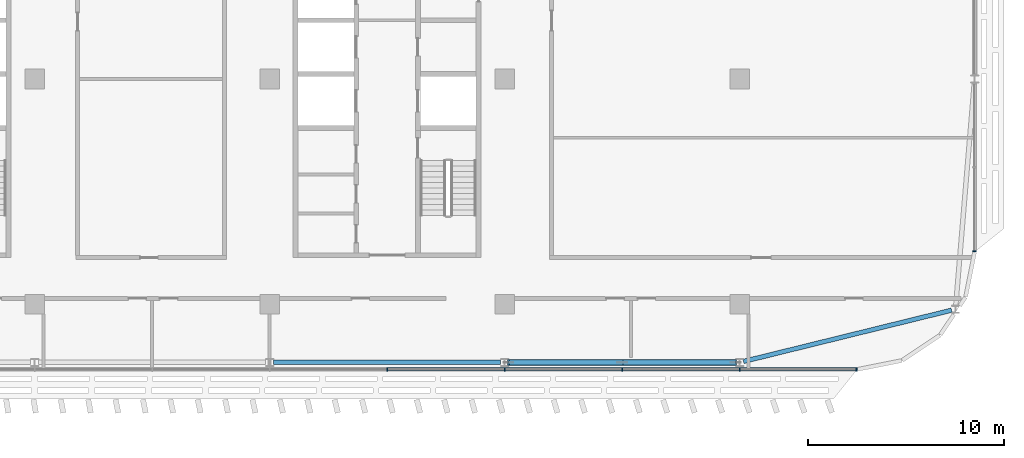
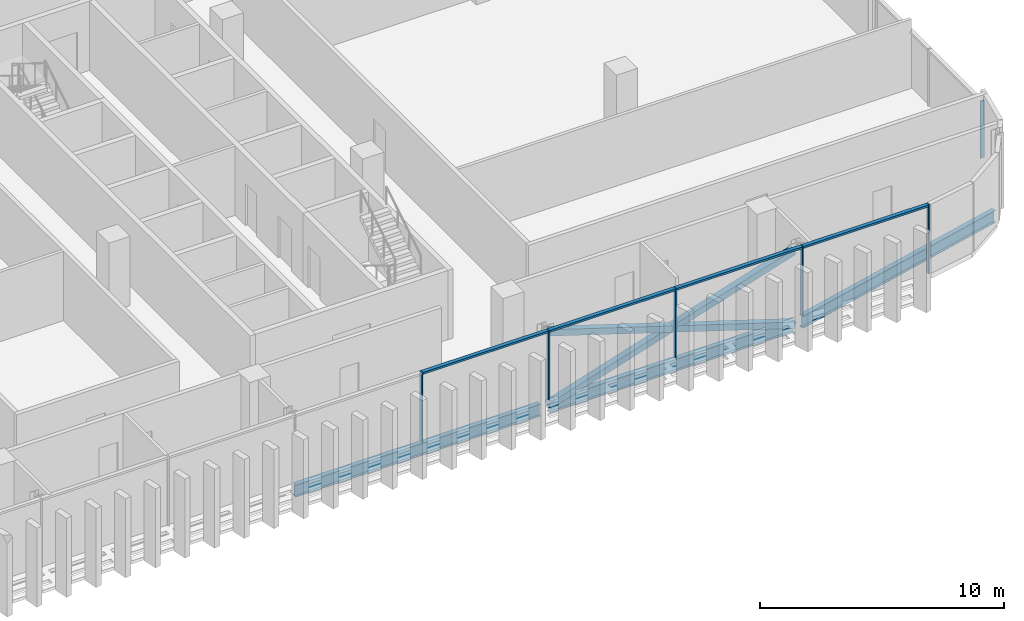
# One storey, part 12 of 35: 13 members, 3 beams, 2 elements without a shape of their own.
"""IFC4 building model written with IfcOpenShell, lengths in metres."""

from ifc_helpers import new_model, si_unit, direction, frame, origin, origin_2d, place, context, subcontext, project, spatial, rectangle, hollow_rectangle, i_section, extrude, material, material_profile, profile_set, type_object, element, aggregate, save


model = new_model("IFC4")

# Units and contexts
model_context = context("Model", 3, precision=1e-05, world=origin(), true_north=direction((0.0, 1.0)))
body_context = subcontext(model_context, "Body", "Model", "MODEL_VIEW")
ifc_project = project(units=[si_unit("LENGTHUNIT", "METRE"), si_unit("AREAUNIT", "SQUARE_METRE"), si_unit("VOLUMEUNIT", "CUBIC_METRE"), si_unit("PLANEANGLEUNIT", "RADIAN"), si_unit("MASSUNIT", "GRAM", prefix="KILO")], contexts=[model_context])

# Site, building, storey
site_placement = place(None, origin())
site = spatial("IfcSite", under=ifc_project, at=site_placement, CompositionType="ELEMENT")
building_placement = place(site_placement, origin())
building = spatial("IfcBuilding", under=site, at=building_placement, Name="Mahtab Terrace Research Tower", CompositionType="ELEMENT")
storey_placement = place(building_placement, frame((0.0, 0.0, 251.39990234375)))
storey = spatial("IfcBuildingStorey", under=building, at=storey_placement, Name="L61", CompositionType="ELEMENT", Elevation=251.39990234375)

# Members
ifc_material_1 = material(Name="Steel ASTM A500 Gr C", Category="steel")
ifc_material_profile_1 = material_profile(ifc_material_1, hollow_rectangle(XDim=0.3046875, YDim=0.3046875, WallThickness=0.015869140625, at=origin_2d()), Name="HSS12X12X5/8")
ifc_profile_set_1 = profile_set([ifc_material_profile_1], Name="Steel ASTM A500 Gr C")
member_type_1 = type_object("IfcMemberType", Name="HSS 12x12x5/8 brace XB121258", PredefinedType="BRACE", material=ifc_profile_set_1)
member_1_placement = place(storey_placement, frame((30.199462890625, -14.472900390625, -0.580322265625), z_axis=(0.953338568311, 0.0, 0.301903252998), x_axis=(0.0, 1.0, 0.0)))
element("IfcMember", 1, at=member_1_placement, inside=storey, type_object=member_type_1, Name="Exoskeleton brace L61 18 a", PredefinedType="BRACE", context=body_context, shape_type="SweptSolid", body=[
    extrude(hollow_rectangle(XDim=0.3046875, YDim=0.3046875, WallThickness=0.015869140625, at=origin_2d()), origin(), (0.0, 0.0, 1.0), 12.1689453125),
])
for number, where, z_axis, x_axis, name in (
    (2, (41.800537109375, -14.472900390625, -0.580322265625), (-0.953338568311, 0.0, 0.301903252998), (0.0, -1.0, 0.0), "Exoskeleton brace L61 18 b1"),
    (3, (36.0, -14.472900390625, 1.256591796875), (-0.953338568311, 0.0, 0.301903252998), (0.0, -1.0, 0.0), "Exoskeleton brace L61 18 b2"),
):
    element("IfcMember", number, at=place(storey_placement, frame(where, z_axis=z_axis, x_axis=x_axis)), inside=storey, type_object=member_type_1, Name=name, PredefinedType="BRACE", context=body_context, shape_type="SweptSolid", body=[
        extrude(hollow_rectangle(XDim=0.3046875, YDim=0.3046875, WallThickness=0.015869140625, at=origin_2d()), origin(), (0.0, 0.0, 1.0), 6.08447265625),
    ])

# Curtain wall, members
ifc_material_2 = material(Name="Office ribbon curtain wall")
curtain_wall_type = type_object("IfcCurtainWallType", Name="Office ribbon curtain wall", PredefinedType="NOTDEFINED", material=ifc_material_2)
curtain_wall_1_placement = place(storey_placement, origin())
curtain_wall_1 = element("IfcCurtainWall", 4, at=curtain_wall_1_placement, inside=storey, type_object=curtain_wall_type, Name="EN.L61.13.17", PredefinedType="NOTDEFINED")
ifc_material_3 = material(Name="Natural anodised aluminium", Category="aluminium")
ifc_material_profile_2 = material_profile(ifc_material_3, rectangle(XDim=0.179931640625, YDim=0.06005859375, at=origin_2d()), Name="MULLION 60x180")
ifc_profile_set_2 = profile_set([ifc_material_profile_2], Name="Natural anodised aluminium")
member_type_2 = type_object("IfcMemberType", Name="Office ribbon curtain wall mullion", PredefinedType="MULLION", material=ifc_profile_set_2)
member_2_placement = place(storey_placement, frame((24.0, -14.833984375, 0.0), z_axis=(0.0, 0.0, 1.0), x_axis=(0.0, 1.0, 0.0)))
member_2 = element("IfcMember", 5, at=member_2_placement, type_object=member_type_2, Name="CWO-7 mullion 11", PredefinedType="MULLION", context=body_context, shape_type="SweptSolid", body=[
    extrude(rectangle(XDim=0.179931640625, YDim=0.06005859375, at=origin_2d()), origin(), (0.0, 0.0, 1.0), 3.460205078125),
])
member_3_placement = place(storey_placement, frame((30.0, -14.833984375, 0.0), z_axis=(0.0, 0.0, 1.0), x_axis=(0.0, 1.0, 0.0)))
member_3 = element("IfcMember", 6, at=member_3_placement, type_object=member_type_2, Name="CWO-7 mullion 12", PredefinedType="MULLION", context=body_context, shape_type="SweptSolid", body=[
    extrude(rectangle(XDim=0.179931640625, YDim=0.06005859375, at=origin_2d()), origin(), (0.0, 0.0, 1.0), 3.460205078125),
])
member_4_placement = place(storey_placement, frame((36.0, -14.833984375, 0.0), z_axis=(0.0, 0.0, 1.0), x_axis=(0.0, 1.0, 0.0)))
member_4 = element("IfcMember", 7, at=member_4_placement, type_object=member_type_2, Name="CWO-7 mullion 13", PredefinedType="MULLION", context=body_context, shape_type="SweptSolid", body=[
    extrude(rectangle(XDim=0.179931640625, YDim=0.06005859375, at=origin_2d()), origin(), (0.0, 0.0, 1.0), 3.460205078125),
])
member_5_placement = place(storey_placement, frame((42.0, -14.833984375, 0.0), z_axis=(0.0, 0.0, 1.0), x_axis=(0.0, 1.0, 0.0)))
member_5 = element("IfcMember", 8, at=member_5_placement, type_object=member_type_2, Name="CWO-7 mullion 14", PredefinedType="MULLION", context=body_context, shape_type="SweptSolid", body=[
    extrude(rectangle(XDim=0.179931640625, YDim=0.06005859375, at=origin_2d()), origin(), (0.0, 0.0, 1.0), 3.460205078125),
])
member_6_placement = place(storey_placement, frame((47.969970703125, -14.833984375, 0.0), z_axis=(0.0, 0.0, 1.0), x_axis=(0.0, 1.0, 0.0)))
member_6 = element("IfcMember", 9, at=member_6_placement, type_object=member_type_2, Name="CWO-7 mullion 15", PredefinedType="MULLION", context=body_context, shape_type="SweptSolid", body=[
    extrude(rectangle(XDim=0.179931640625, YDim=0.06005859375, at=origin_2d()), origin(), (0.0, 0.0, 1.0), 3.460205078125),
])

# Curtain wall, member
curtain_wall_2_placement = place(storey_placement, origin())
curtain_wall_2 = element("IfcCurtainWall", 10, at=curtain_wall_2_placement, inside=storey, type_object=curtain_wall_type, Name="EN.L61.18.23", PredefinedType="NOTDEFINED")
member_7_placement = place(storey_placement, frame((54.0, -8.803955078125, 0.0), z_axis=(0.0, 0.0, 1.0), x_axis=(-1.0, 0.0, 0.0)))
member_7 = element("IfcMember", 11, at=member_7_placement, type_object=member_type_2, Name="CWO-7 mullion 1", PredefinedType="MULLION", context=body_context, shape_type="SweptSolid", body=[
    extrude(rectangle(XDim=0.179931640625, YDim=0.06005859375, at=origin_2d()), origin(), (0.0, 0.0, 1.0), 2.85302734375),
])
aggregate(curtain_wall_2, [member_7])

# Member
ifc_material_profile_3 = material_profile(ifc_material_3, rectangle(XDim=0.179931640625, YDim=0.10009765625, at=origin_2d()), Name="TRANSOM 100x180")
ifc_profile_set_3 = profile_set([ifc_material_profile_3], Name="Natural anodised aluminium")
member_type_3 = type_object("IfcMemberType", Name="Office ribbon curtain wall transom", PredefinedType="USERDEFINED", material=ifc_profile_set_3)
member_8_placement = place(storey_placement, frame((24.030029296875, -14.833984375, 3.41015625), z_axis=(1.0, 0.0, 0.0), x_axis=(0.0, 1.0, 0.0)))
member_8 = element("IfcMember", 12, at=member_8_placement, type_object=member_type_3, Name="CWO-7 transom 11", ObjectType="TRANSOM", PredefinedType="USERDEFINED", context=body_context, shape_type="SweptSolid", body=[
    extrude(rectangle(XDim=0.179931640625, YDim=0.10009765625, at=origin_2d()), origin(), (0.0, 0.0, 1.0), 5.93994140625),
])

member_9_placement = place(storey_placement, frame((30.030029296875, -14.833984375, 3.41015625), z_axis=(1.0, 0.0, 0.0), x_axis=(0.0, 1.0, 0.0)))
member_9 = element("IfcMember", 13, at=member_9_placement, type_object=member_type_3, Name="CWO-7 transom 12", ObjectType="TRANSOM", PredefinedType="USERDEFINED", context=body_context, shape_type="SweptSolid", body=[
    extrude(rectangle(XDim=0.179931640625, YDim=0.10009765625, at=origin_2d()), origin(), (0.0, 0.0, 1.0), 5.93994140625),
])

member_10_placement = place(storey_placement, frame((36.030029296875, -14.833984375, 3.41015625), z_axis=(1.0, 0.0, 0.0), x_axis=(0.0, 1.0, 0.0)))
member_10 = element("IfcMember", 14, at=member_10_placement, type_object=member_type_3, Name="CWO-7 transom 13", ObjectType="TRANSOM", PredefinedType="USERDEFINED", context=body_context, shape_type="SweptSolid", body=[
    extrude(rectangle(XDim=0.179931640625, YDim=0.10009765625, at=origin_2d()), origin(), (0.0, 0.0, 1.0), 5.93994140625),
])

member_11_placement = place(storey_placement, frame((42.030029296875, -14.833984375, 3.41015625), z_axis=(1.0, 0.0, 0.0), x_axis=(0.0, 1.0, 0.0)))
member_11 = element("IfcMember", 15, at=member_11_placement, type_object=member_type_3, Name="CWO-7 transom 14", ObjectType="TRANSOM", PredefinedType="USERDEFINED", context=body_context, shape_type="SweptSolid", body=[
    extrude(rectangle(XDim=0.179931640625, YDim=0.10009765625, at=origin_2d()), origin(), (0.0, 0.0, 1.0), 5.909912109375),
])

aggregate(curtain_wall_1, [member_2, member_3, member_4, member_5, member_6, member_8, member_9, member_10, member_11])

# Beams
ifc_material_4 = material(Name="Steel ASTM A992 Gr 50", Category="steel")
ifc_material_profile_4 = material_profile(ifc_material_4, i_section(OverallWidth=0.228271484375, OverallDepth=0.607177734375, WebThickness=0.01123046875, FlangeThickness=0.017333984375, at=origin_2d()), Name="W24X76")
ifc_profile_set_4 = profile_set([ifc_material_profile_4], Name="Steel ASTM A992 Gr 50")
beam_type = type_object("IfcBeamType", Name="W24x76 beam BS2476", PredefinedType="BEAM", material=ifc_profile_set_4)
for number, where, z_axis, x_axis, name in (
    (16, (18.199462890625, -14.472900390625, -0.6435546875), (1.0, 0.0, 0.0), (0.0, 1.0, 0.0), "Spandrel beam L61 17"),
    (17, (30.199462890625, -14.472900390625, -0.6435546875), (1.0, 0.0, 0.0), (0.0, 1.0, 0.0), "Spandrel beam L61 18"),
):
    element("IfcBeam", number, at=place(storey_placement, frame(where, z_axis=z_axis, x_axis=x_axis)), inside=storey, type_object=beam_type, Name=name, PredefinedType="BEAM", context=body_context, shape_type="SweptSolid", body=[
        extrude(i_section(OverallWidth=0.228271484375, OverallDepth=0.607177734375, WebThickness=0.01123046875, FlangeThickness=0.017333984375, at=origin_2d()), origin(), (0.0, 0.0, 1.0), 11.60107421875),
    ])
beam_placement = place(storey_placement, frame((42.199462890625, -14.423828125, -0.6435546875), z_axis=(0.970971673225, 0.239194502014, 0.0), x_axis=(-0.239194502014, 0.970971673225, 0.0)))
element("IfcBeam", 18, at=beam_placement, inside=storey, type_object=beam_type, Name="Spandrel beam L61 19", PredefinedType="BEAM", context=body_context, shape_type="SweptSolid", body=[
    extrude(i_section(OverallWidth=0.228271484375, OverallDepth=0.607177734375, WebThickness=0.01123046875, FlangeThickness=0.017333984375, at=origin_2d()), origin(), (0.0, 0.0, 1.0), 10.939697265625),
])

save(model, "model.ifc")
